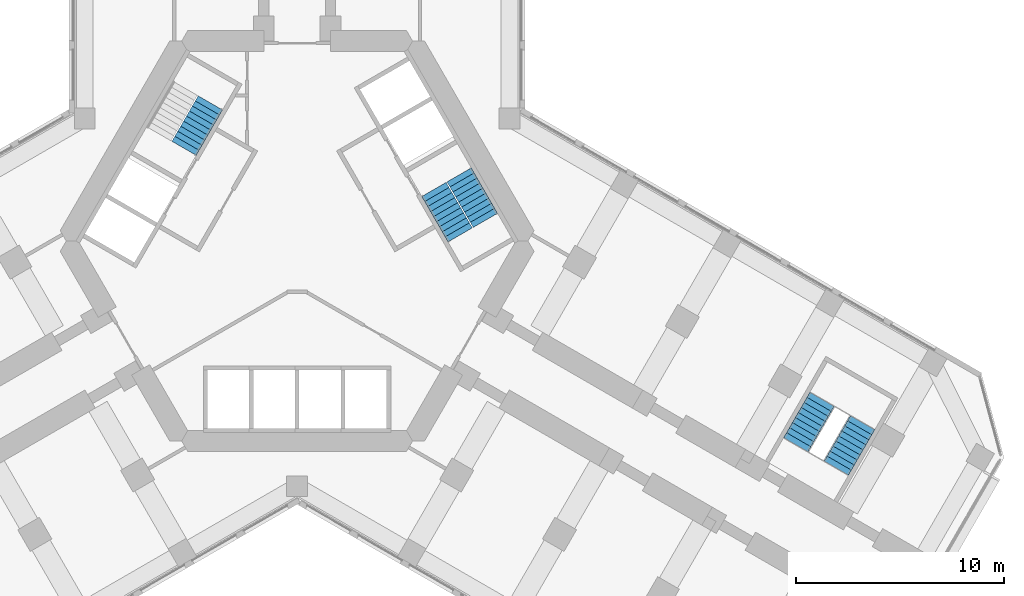
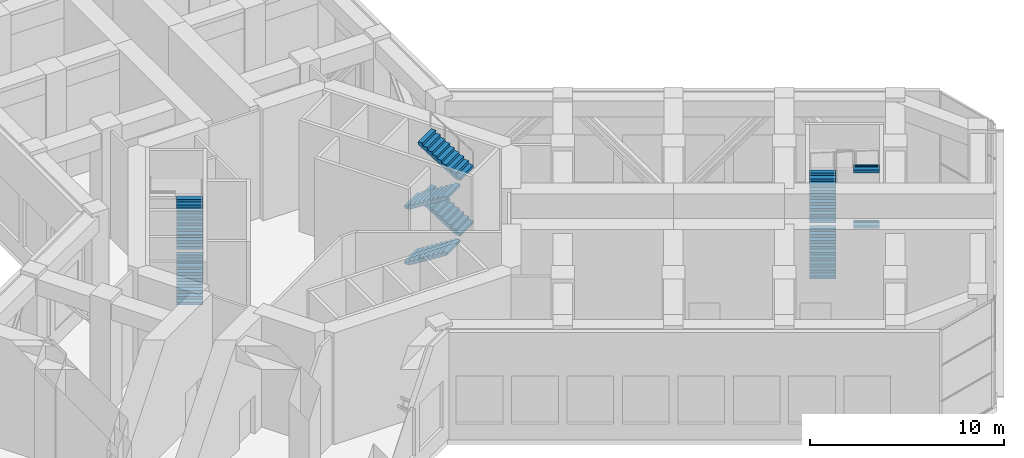
# One storey, part 15 of 17: 10 stair flights, 3 elements without a shape of their own.
"""IFC4 building model written with IfcOpenShell, lengths in metres."""

from ifc_helpers import new_model, si_unit, direction, frame, origin, place, context, subcontext, project, spatial, polyline, outline, extrude, material, type_object, element, aggregate, save


model = new_model("IFC4")

# Units and contexts
model_context = context("Model", 3, precision=1e-05, world=origin(), true_north=direction((0.0, 1.0)))
body_context = subcontext(model_context, "Body", "Model", "MODEL_VIEW")
ifc_project = project(units=[si_unit("LENGTHUNIT", "METRE"), si_unit("AREAUNIT", "SQUARE_METRE"), si_unit("VOLUMEUNIT", "CUBIC_METRE"), si_unit("PLANEANGLEUNIT", "RADIAN"), si_unit("MASSUNIT", "GRAM", prefix="KILO")], contexts=[model_context])

# Site, building, storey
site_placement = place(None, origin())
site = spatial("IfcSite", under=ifc_project, at=site_placement, CompositionType="ELEMENT")
building_placement = place(site_placement, origin())
building = spatial("IfcBuilding", under=site, at=building_placement, Name="Kosmar Iwan School Tower", CompositionType="ELEMENT")
storey_placement = place(building_placement, frame((0.0, 0.0, 113.199951171875)))
storey = spatial("IfcBuildingStorey", under=building, at=storey_placement, Name="L28", CompositionType="ELEMENT", Elevation=113.199951171875)

# Stair, stair flights
ifc_material_1 = material(Name="Concrete C35/45", Category="concrete")
stair_type_1 = type_object("IfcStairType", Name="Escape stair 3600", PredefinedType="HALF_TURN_STAIR", material=ifc_material_1)
stair_1_placement = place(storey_placement, origin())
stair_1 = element("IfcStair", 1, at=stair_1_placement, inside=storey, type_object=stair_type_1, Name="Stair WS3 L28", PredefinedType="HALF_TURN_STAIR")
ifc_material_2 = material(Name="Concrete C35/45", Category="concrete")
stair_flight_type_1 = type_object("IfcStairFlightType", Name="Escape stair flight 1350", PredefinedType="STRAIGHT", material=ifc_material_2)
stair_flight_1_placement = place(storey_placement, frame((23.94189453125, -9.781494140625, 0.0), z_axis=(0.0, 0.0, 1.0), x_axis=(0.5, 0.866025403784, 0.0)))
stair_flight_1 = element("IfcStairFlight", 2, at=stair_flight_1_placement, type_object=stair_flight_type_1, Name="WS3 flight 1", NumberOfRisers=10, NumberOfTreads=9, PredefinedType="STRAIGHT", RiserHeight=0.175, TreadLength=0.28, context=body_context, shape_type="SweptSolid", body=[
    extrude(outline(polyline([(0.0, 0.0), (0.0, 0.175048828125), (0.280029296875, 0.175048828125), (0.280029296875, 0.35009765625), (0.56005859375, 0.35009765625), (0.56005859375, 0.52490234375), (0.840087890625, 0.52490234375), (0.840087890625, 0.699951171875), (1.1201171875, 0.699951171875), (1.1201171875, 0.875), (1.39990234375, 0.875), (1.39990234375, 1.050048828125), (1.679931640625, 1.050048828125), (1.679931640625, 1.22509765625), (1.9599609375, 1.22509765625), (1.9599609375, 1.39990234375), (2.239990234375, 1.39990234375), (2.239990234375, 1.574951171875), (2.52001953125, 1.574951171875), (2.52001953125, 1.75), (2.52001953125, 1.398193359375), (0.28271484375, 0.0), (0.0, 0.0)])), frame((0.0, 0.675048828125, 0.0), z_axis=(0.0, -1.0, 0.0), x_axis=(1.0, 0.0, 0.0)), (0.0, 0.0, 1.0), 1.35009765625),
])
stair_flight_2_placement = place(storey_placement, frame((27.150390625, -8.72412109375, 1.75), z_axis=(0.0, 0.0, 1.0), x_axis=(-0.5, -0.866025403784, 0.0)))
stair_flight_2 = element("IfcStairFlight", 3, at=stair_flight_2_placement, type_object=stair_flight_type_1, Name="WS3 flight 2", NumberOfRisers=10, NumberOfTreads=9, PredefinedType="STRAIGHT", RiserHeight=0.175, TreadLength=0.28, context=body_context, shape_type="SweptSolid", body=[
    extrude(outline(polyline([(0.0, 0.0), (0.0, 0.175048828125), (0.280029296875, 0.175048828125), (0.280029296875, 0.35009765625), (0.56005859375, 0.35009765625), (0.56005859375, 0.52490234375), (0.840087890625, 0.52490234375), (0.840087890625, 0.699951171875), (1.1201171875, 0.699951171875), (1.1201171875, 0.875), (1.39990234375, 0.875), (1.39990234375, 1.050048828125), (1.679931640625, 1.050048828125), (1.679931640625, 1.22509765625), (1.9599609375, 1.22509765625), (1.9599609375, 1.39990234375), (2.239990234375, 1.39990234375), (2.239990234375, 1.574951171875), (2.52001953125, 1.574951171875), (2.52001953125, 1.75), (2.52001953125, 1.398193359375), (0.28271484375, 0.0), (0.0, 0.0)])), frame((0.0, 0.675048828125, 0.0), z_axis=(0.0, -1.0, 0.0), x_axis=(1.0, 0.0, 0.0)), (0.0, 0.0, 1.0), 1.35009765625),
])
stair_flight_3_placement = place(storey_placement, frame((23.94189453125, -9.781494140625, 3.5), z_axis=(0.0, 0.0, 1.0), x_axis=(0.5, 0.866025403784, 0.0)))
stair_flight_3 = element("IfcStairFlight", 4, at=stair_flight_3_placement, type_object=stair_flight_type_1, Name="WS3 flight 3", NumberOfRisers=10, NumberOfTreads=9, PredefinedType="STRAIGHT", RiserHeight=0.175, TreadLength=0.28, context=body_context, shape_type="SweptSolid", body=[
    extrude(outline(polyline([(0.0, 0.0), (0.0, 0.175048828125), (0.280029296875, 0.175048828125), (0.280029296875, 0.35009765625), (0.56005859375, 0.35009765625), (0.56005859375, 0.52490234375), (0.840087890625, 0.52490234375), (0.840087890625, 0.699951171875), (1.1201171875, 0.699951171875), (1.1201171875, 0.875), (1.39990234375, 0.875), (1.39990234375, 1.050048828125), (1.679931640625, 1.050048828125), (1.679931640625, 1.22509765625), (1.9599609375, 1.22509765625), (1.9599609375, 1.39990234375), (2.239990234375, 1.39990234375), (2.239990234375, 1.574951171875), (2.52001953125, 1.574951171875), (2.52001953125, 1.75), (2.52001953125, 1.398193359375), (0.28271484375, 0.0), (0.0, 0.0)])), frame((0.0, 0.675048828125, 0.0), z_axis=(0.0, -1.0, 0.0), x_axis=(1.0, 0.0, 0.0)), (0.0, 0.0, 1.0), 1.35009765625),
])
stair_flight_4_placement = place(storey_placement, frame((27.150390625, -8.72412109375, 5.25), z_axis=(0.0, 0.0, 1.0), x_axis=(-0.5, -0.866025403784, 0.0)))
stair_flight_4 = element("IfcStairFlight", 5, at=stair_flight_4_placement, type_object=stair_flight_type_1, Name="WS3 flight 4", NumberOfRisers=10, NumberOfTreads=9, PredefinedType="STRAIGHT", RiserHeight=0.175, TreadLength=0.28, context=body_context, shape_type="SweptSolid", body=[
    extrude(outline(polyline([(0.0, 0.0), (0.0, 0.175048828125), (0.280029296875, 0.175048828125), (0.280029296875, 0.35009765625), (0.56005859375, 0.35009765625), (0.56005859375, 0.52490234375), (0.840087890625, 0.52490234375), (0.840087890625, 0.699951171875), (1.1201171875, 0.699951171875), (1.1201171875, 0.875), (1.39990234375, 0.875), (1.39990234375, 1.050048828125), (1.679931640625, 1.050048828125), (1.679931640625, 1.22509765625), (1.9599609375, 1.22509765625), (1.9599609375, 1.39990234375), (2.239990234375, 1.39990234375), (2.239990234375, 1.574951171875), (2.52001953125, 1.574951171875), (2.52001953125, 1.75), (2.52001953125, 1.398193359375), (0.28271484375, 0.0), (0.0, 0.0)])), frame((0.0, 0.675048828125, 0.0), z_axis=(0.0, -1.0, 0.0), x_axis=(1.0, 0.0, 0.0)), (0.0, 0.0, 1.0), 1.35009765625),
])
aggregate(stair_1, [stair_flight_1, stair_flight_2, stair_flight_3, stair_flight_4])

ifc_material_3 = material(Name="Concrete C35/45", Category="concrete")
stair_type_2 = type_object("IfcStairType", Name="Core stair 2750", PredefinedType="HALF_TURN_STAIR", material=ifc_material_3)
stair_2_placement = place(storey_placement, origin())
stair_2 = element("IfcStair", 6, at=stair_2_placement, inside=storey, type_object=stair_type_2, Name="Stair ST2 L28", PredefinedType="HALF_TURN_STAIR")
ifc_material_4 = material(Name="Concrete C35/45", Category="concrete")
stair_flight_type_2 = type_object("IfcStairFlightType", Name="Stair flight 1350", PredefinedType="STRAIGHT", material=ifc_material_4)
stair_flight_5_placement = place(storey_placement, frame((-5.42724609375, 4.44970703125, 0.0), z_axis=(0.0, 0.0, 1.0), x_axis=(0.5, 0.866025403784, 0.0)))
stair_flight_5 = element("IfcStairFlight", 7, at=stair_flight_5_placement, type_object=stair_flight_type_2, Name="ST2 flight 1", NumberOfRisers=10, NumberOfTreads=9, PredefinedType="STRAIGHT", RiserHeight=0.175, TreadLength=0.28, context=body_context, shape_type="SweptSolid", body=[
    extrude(outline(polyline([(0.0, 0.0), (0.0, 0.175048828125), (0.280029296875, 0.175048828125), (0.280029296875, 0.35009765625), (0.56005859375, 0.35009765625), (0.56005859375, 0.52490234375), (0.840087890625, 0.52490234375), (0.840087890625, 0.699951171875), (1.1201171875, 0.699951171875), (1.1201171875, 0.875), (1.39990234375, 0.875), (1.39990234375, 1.050048828125), (1.679931640625, 1.050048828125), (1.679931640625, 1.22509765625), (1.9599609375, 1.22509765625), (1.9599609375, 1.39990234375), (2.239990234375, 1.39990234375), (2.239990234375, 1.574951171875), (2.52001953125, 1.574951171875), (2.52001953125, 1.75), (2.52001953125, 1.398193359375), (0.28271484375, 0.0), (0.0, 0.0)])), frame((0.0, 0.675048828125, 0.0), z_axis=(0.0, -1.0, 0.0), x_axis=(1.0, 0.0, 0.0)), (0.0, 0.0, 1.0), 1.35009765625),
])
stair_flight_6_placement = place(storey_placement, frame((-5.42724609375, 4.44970703125, 3.5), z_axis=(0.0, 0.0, 1.0), x_axis=(0.5, 0.866025403784, 0.0)))
stair_flight_6 = element("IfcStairFlight", 8, at=stair_flight_6_placement, type_object=stair_flight_type_2, Name="ST2 flight 3", NumberOfRisers=10, NumberOfTreads=9, PredefinedType="STRAIGHT", RiserHeight=0.175, TreadLength=0.28, context=body_context, shape_type="SweptSolid", body=[
    extrude(outline(polyline([(0.0, 0.0), (0.0, 0.175048828125), (0.280029296875, 0.175048828125), (0.280029296875, 0.35009765625), (0.56005859375, 0.35009765625), (0.56005859375, 0.52490234375), (0.840087890625, 0.52490234375), (0.840087890625, 0.699951171875), (1.1201171875, 0.699951171875), (1.1201171875, 0.875), (1.39990234375, 0.875), (1.39990234375, 1.050048828125), (1.679931640625, 1.050048828125), (1.679931640625, 1.22509765625), (1.9599609375, 1.22509765625), (1.9599609375, 1.39990234375), (2.239990234375, 1.39990234375), (2.239990234375, 1.574951171875), (2.52001953125, 1.574951171875), (2.52001953125, 1.75), (2.52001953125, 1.398193359375), (0.28271484375, 0.0), (0.0, 0.0)])), frame((0.0, 0.675048828125, 0.0), z_axis=(0.0, -1.0, 0.0), x_axis=(1.0, 0.0, 0.0)), (0.0, 0.0, 1.0), 1.35009765625),
])
aggregate(stair_2, [stair_flight_5, stair_flight_6])

stair_3_placement = place(storey_placement, origin())
stair_3 = element("IfcStair", 9, at=stair_3_placement, inside=storey, type_object=stair_type_2, Name="Stair ST1 L28", PredefinedType="HALF_TURN_STAIR")
stair_flight_7_placement = place(storey_placement, frame((6.567138671875, 2.475341796875, 0.0), z_axis=(0.0, 0.0, 1.0), x_axis=(0.5, -0.866025403784, 0.0)))
stair_flight_7 = element("IfcStairFlight", 10, at=stair_flight_7_placement, type_object=stair_flight_type_2, Name="ST1 flight 1", NumberOfRisers=10, NumberOfTreads=9, PredefinedType="STRAIGHT", RiserHeight=0.175, TreadLength=0.28, context=body_context, shape_type="SweptSolid", body=[
    extrude(outline(polyline([(0.0, 0.0), (0.0, 0.175048828125), (0.280029296875, 0.175048828125), (0.280029296875, 0.35009765625), (0.56005859375, 0.35009765625), (0.56005859375, 0.52490234375), (0.840087890625, 0.52490234375), (0.840087890625, 0.699951171875), (1.1201171875, 0.699951171875), (1.1201171875, 0.875), (1.39990234375, 0.875), (1.39990234375, 1.050048828125), (1.679931640625, 1.050048828125), (1.679931640625, 1.22509765625), (1.9599609375, 1.22509765625), (1.9599609375, 1.39990234375), (2.239990234375, 1.39990234375), (2.239990234375, 1.574951171875), (2.52001953125, 1.574951171875), (2.52001953125, 1.75), (2.52001953125, 1.398193359375), (0.28271484375, 0.0), (0.0, 0.0)])), frame((0.0, 0.675048828125, 0.0), z_axis=(0.0, -1.0, 0.0), x_axis=(1.0, 0.0, 0.0)), (0.0, 0.0, 1.0), 1.35009765625),
])
stair_flight_8_placement = place(storey_placement, frame((9.03955078125, 0.992919921875, 1.75), z_axis=(0.0, 0.0, 1.0), x_axis=(-0.5, 0.866025403784, 0.0)))
stair_flight_8 = element("IfcStairFlight", 11, at=stair_flight_8_placement, type_object=stair_flight_type_2, Name="ST1 flight 2", NumberOfRisers=10, NumberOfTreads=9, PredefinedType="STRAIGHT", RiserHeight=0.175, TreadLength=0.28, context=body_context, shape_type="SweptSolid", body=[
    extrude(outline(polyline([(0.0, 0.0), (0.0, 0.175048828125), (0.280029296875, 0.175048828125), (0.280029296875, 0.35009765625), (0.56005859375, 0.35009765625), (0.56005859375, 0.52490234375), (0.840087890625, 0.52490234375), (0.840087890625, 0.699951171875), (1.1201171875, 0.699951171875), (1.1201171875, 0.875), (1.39990234375, 0.875), (1.39990234375, 1.050048828125), (1.679931640625, 1.050048828125), (1.679931640625, 1.22509765625), (1.9599609375, 1.22509765625), (1.9599609375, 1.39990234375), (2.239990234375, 1.39990234375), (2.239990234375, 1.574951171875), (2.52001953125, 1.574951171875), (2.52001953125, 1.75), (2.52001953125, 1.398193359375), (0.28271484375, 0.0), (0.0, 0.0)])), frame((0.0, 0.675048828125, 0.0), z_axis=(0.0, -1.0, 0.0), x_axis=(1.0, 0.0, 0.0)), (0.0, 0.0, 1.0), 1.35009765625),
])
stair_flight_9_placement = place(storey_placement, frame((6.567138671875, 2.475341796875, 3.5), z_axis=(0.0, 0.0, 1.0), x_axis=(0.5, -0.866025403784, 0.0)))
stair_flight_9 = element("IfcStairFlight", 12, at=stair_flight_9_placement, type_object=stair_flight_type_2, Name="ST1 flight 3", NumberOfRisers=10, NumberOfTreads=9, PredefinedType="STRAIGHT", RiserHeight=0.175, TreadLength=0.28, context=body_context, shape_type="SweptSolid", body=[
    extrude(outline(polyline([(0.0, 0.0), (0.0, 0.175048828125), (0.280029296875, 0.175048828125), (0.280029296875, 0.35009765625), (0.56005859375, 0.35009765625), (0.56005859375, 0.52490234375), (0.840087890625, 0.52490234375), (0.840087890625, 0.699951171875), (1.1201171875, 0.699951171875), (1.1201171875, 0.875), (1.39990234375, 0.875), (1.39990234375, 1.050048828125), (1.679931640625, 1.050048828125), (1.679931640625, 1.22509765625), (1.9599609375, 1.22509765625), (1.9599609375, 1.39990234375), (2.239990234375, 1.39990234375), (2.239990234375, 1.574951171875), (2.52001953125, 1.574951171875), (2.52001953125, 1.75), (2.52001953125, 1.398193359375), (0.28271484375, 0.0), (0.0, 0.0)])), frame((0.0, 0.675048828125, 0.0), z_axis=(0.0, -1.0, 0.0), x_axis=(1.0, 0.0, 0.0)), (0.0, 0.0, 1.0), 1.35009765625),
])
stair_flight_10_placement = place(storey_placement, frame((9.03955078125, 0.992919921875, 5.25), z_axis=(0.0, 0.0, 1.0), x_axis=(-0.5, 0.866025403784, 0.0)))
stair_flight_10 = element("IfcStairFlight", 13, at=stair_flight_10_placement, type_object=stair_flight_type_2, Name="ST1 flight 4", NumberOfRisers=10, NumberOfTreads=9, PredefinedType="STRAIGHT", RiserHeight=0.175, TreadLength=0.28, context=body_context, shape_type="SweptSolid", body=[
    extrude(outline(polyline([(0.0, 0.0), (0.0, 0.175048828125), (0.280029296875, 0.175048828125), (0.280029296875, 0.35009765625), (0.56005859375, 0.35009765625), (0.56005859375, 0.52490234375), (0.840087890625, 0.52490234375), (0.840087890625, 0.699951171875), (1.1201171875, 0.699951171875), (1.1201171875, 0.875), (1.39990234375, 0.875), (1.39990234375, 1.050048828125), (1.679931640625, 1.050048828125), (1.679931640625, 1.22509765625), (1.9599609375, 1.22509765625), (1.9599609375, 1.39990234375), (2.239990234375, 1.39990234375), (2.239990234375, 1.574951171875), (2.52001953125, 1.574951171875), (2.52001953125, 1.75), (2.52001953125, 1.398193359375), (0.28271484375, 0.0), (0.0, 0.0)])), frame((0.0, 0.675048828125, 0.0), z_axis=(0.0, -1.0, 0.0), x_axis=(1.0, 0.0, 0.0)), (0.0, 0.0, 1.0), 1.35009765625),
])
aggregate(stair_3, [stair_flight_7, stair_flight_8, stair_flight_9, stair_flight_10])

save(model, "model.ifc")
